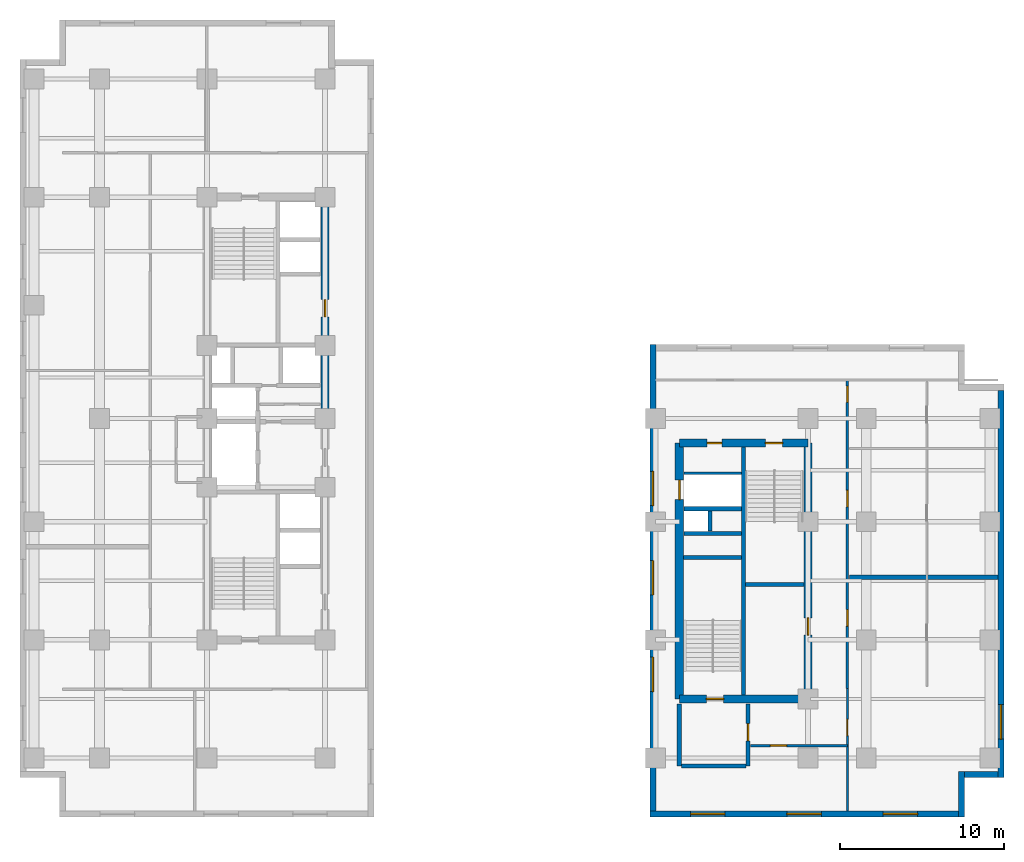
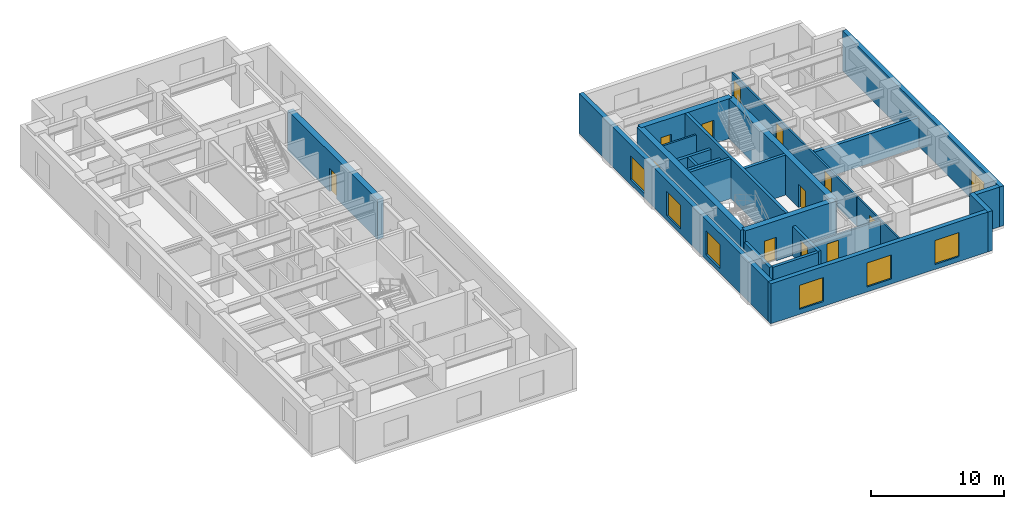
# One storey, part 4 of 8: 24 walls, 12 doors, 7 windows, 19 openings.
"""IFC4 building model written with IfcOpenShell, lengths in metres."""

from ifc_helpers import new_model, entity, si_unit, converted_unit, direction, frame, origin_with_axes, origin_2d_with_axis, place, context, subcontext, project, spatial, polyline, rectangle, outline, extrude, material, layer, layer_set, type_object, element, fill, save


model = new_model("IFC4")

# Units and contexts
model_context = context("Model", 3, precision=1e-05, world=origin_with_axes(), true_north=direction((0.0, 1.0)))
body_context = subcontext(model_context, "Body", "Model", "MODEL_VIEW")
ifc_project = project(units=[si_unit("LENGTHUNIT", "METRE"), si_unit("AREAUNIT", "SQUARE_METRE"), si_unit("VOLUMEUNIT", "CUBIC_METRE"), converted_unit("PLANEANGLEUNIT", "DEGREE", entity("IfcPlaneAngleMeasure", 0.017453292519943295), si_unit("PLANEANGLEUNIT", "RADIAN"), dimensions=[0, 0, 0, 0, 0, 0, 0]), si_unit("MASSUNIT", "GRAM", prefix="KILO"), si_unit("THERMODYNAMICTEMPERATUREUNIT", "KELVIN")], contexts=[model_context])

# Site, building, storey
site_placement = place(None, origin_with_axes())
site = spatial("IfcSite", under=ifc_project, at=site_placement, CompositionType="ELEMENT")
building_placement = place(site_placement, origin_with_axes())
building = spatial("IfcBuilding", under=site, at=building_placement, Name="Varnlund Millrace Tower", CompositionType="ELEMENT")
storey_placement = place(building_placement, frame((0.0, 0.0, 89.1), z_axis=(0.0, 0.0, 1.0), x_axis=(1.0, 0.0, 0.0)))
storey = spatial("IfcBuildingStorey", under=building, at=storey_placement, Name="L21", CompositionType="ELEMENT", Elevation=89.1)

# Wall, opening, door
ifc_material_1 = material(Name="Concrete C70/85", Category="concrete")
ifc_layer_1 = layer(ifc_material_1, 0.5, Name="Concrete C70/85")
ifc_layer_set_1 = layer_set([ifc_layer_1], Name="Concrete C70/85")
wall_type_1 = type_object("IfcWallType", Name="Type-CoreWall-Shear-500-C70", PredefinedType="SHEAR", material=ifc_layer_set_1)
wall_1_placement = place(storey_placement, frame((18.6, 24.3, 0.0), z_axis=(0.0, 0.0, 1.0), x_axis=(0.0, 1.0, 0.0)))
wall_1 = element("IfcWall", 1, at=wall_1_placement, inside=storey, type_object=wall_type_1, Name="Type-CoreWall-Shear-500-C70", PredefinedType="SHEAR", context=body_context, shape_type="SweptSolid", body=[
    extrude(outline(polyline([(0.0, -0.25), (13.5, -0.25), (13.5, 0.25), (0.0, 0.25), (0.0, -0.25)])), origin_with_axes(), (0.0, 0.0, 1.0), 3.66),
])
opening_1_placement = place(wall_1_placement, frame((6.725, 0.0, 0.0), z_axis=(0.0, 0.0, 1.0), x_axis=(1.0, 0.0, 0.0)))
opening_1 = element("IfcOpeningElement", 2, at=opening_1_placement, cuts=wall_1, Name="Opening L21:DR-CA-WC1", PredefinedType="OPENING", context=body_context, shape_type="SweptSolid", body=[
    extrude(rectangle(XDim=1.05, YDim=0.52, at=origin_2d_with_axis()), origin_with_axes(), (0.0, 0.0, 1.0), 2.15),
])
ifc_material_2 = material(Name="Smoke-barrier hollow steel fire door", Category="steel")
door_type_1 = type_object("IfcDoorType", Name="Type-FireDoor-Lobby-1050X2150", OperationType="NOTDEFINED", PredefinedType="DOOR", material=ifc_material_2)
door_1_placement = place(wall_1_placement, frame((6.725, 0.0, 0.0), z_axis=(0.0, 0.0, 1.0), x_axis=(1.0, 0.0, 0.0)))
door_1 = element("IfcDoor", 3, at=door_1_placement, inside=storey, type_object=door_type_1, Name="Type-FireDoor-Lobby-1050X2150", OperationType="SINGLE_SWING_LEFT", OverallHeight=2.15, OverallWidth=1.05, PredefinedType="DOOR", context=body_context, shape_type="SweptSolid", body=[
    extrude(rectangle(XDim=1.05, YDim=0.09, at=origin_2d_with_axis()), origin_with_axes(), (0.0, 0.0, 1.0), 2.15),
])
fill(opening_1, door_1)

wall_2_placement = place(storey_placement, frame((40.2, 7.2, 0.0), z_axis=(0.0, 0.0, 1.0), x_axis=(0.0, 1.0, 0.0)))
wall_2 = element("IfcWall", 4, at=wall_2_placement, inside=storey, type_object=wall_type_1, Name="Type-CoreWall-Shear-500-C70", PredefinedType="SHEAR", context=body_context, shape_type="SweptSolid", body=[
    extrude(outline(polyline([(0.0, -0.25), (15.6, -0.25), (15.6, 0.25), (0.0, 0.25), (0.0, -0.25)])), origin_with_axes(), (0.0, 0.0, 1.0), 3.66),
])
opening_2_placement = place(wall_2_placement, frame((12.75, 0.0, 0.0), z_axis=(0.0, 0.0, 1.0), x_axis=(1.0, 0.0, 0.0)))
opening_2 = element("IfcOpeningElement", 5, at=opening_2_placement, cuts=wall_2, Name="Opening L21:LD-SRV2", PredefinedType="OPENING", context=body_context, shape_type="SweptSolid", body=[
    extrude(rectangle(XDim=1.2, YDim=0.52, at=origin_2d_with_axis()), origin_with_axes(), (0.0, 0.0, 1.0), 2.15),
])
ifc_material_3 = material(Name="Heavy-duty freight sliding landing door")
door_type_2 = type_object("IfcDoorType", Name="Type-LiftLandingDoor-Service-1200X2150", OperationType="NOTDEFINED", PredefinedType="DOOR", material=ifc_material_3)
door_2_placement = place(wall_2_placement, frame((12.75, 0.0, 0.0), z_axis=(0.0, 0.0, 1.0), x_axis=(1.0, 0.0, 0.0)))
door_2 = element("IfcDoor", 6, at=door_2_placement, inside=storey, type_object=door_type_2, Name="Type-LiftLandingDoor-Service-1200X2150", OperationType="DOUBLE_DOOR_SLIDING", OverallHeight=2.15, OverallWidth=1.2, PredefinedType="DOOR", context=body_context, shape_type="SweptSolid", body=[
    extrude(rectangle(XDim=1.2, YDim=0.09, at=origin_2d_with_axis()), origin_with_axes(), (0.0, 0.0, 1.0), 2.15),
])
fill(opening_2, door_2)

wall_3_placement = place(storey_placement, frame((40.2, 7.2, 0.0), z_axis=(0.0, 0.0, 1.0), x_axis=(1.0, 0.0, 0.0)))
wall_3 = element("IfcWall", 7, at=wall_3_placement, inside=storey, type_object=wall_type_1, Name="Type-CoreWall-Shear-500-C70", PredefinedType="SHEAR", context=body_context, shape_type="SweptSolid", body=[
    extrude(outline(polyline([(0.0, -0.25), (7.85, -0.25), (7.85, 0.25), (0.0, 0.25), (0.0, -0.25)])), origin_with_axes(), (0.0, 0.0, 1.0), 3.66),
])
opening_3_placement = place(wall_3_placement, frame((2.175, 0.0, 0.0), z_axis=(0.0, 0.0, 1.0), x_axis=(1.0, 0.0, 0.0)))
opening_3 = element("IfcOpeningElement", 8, at=opening_3_placement, cuts=wall_3, Name="Opening L21:DR-STB1", PredefinedType="OPENING", context=body_context, shape_type="SweptSolid", body=[
    extrude(rectangle(XDim=1.05, YDim=0.52, at=origin_2d_with_axis()), origin_with_axes(), (0.0, 0.0, 1.0), 2.15),
])
ifc_material_4 = material(Name="Fire-rated hollow steel door", Category="steel")
door_type_3 = type_object("IfcDoorType", Name="Type-FireDoor-Stair-1050X2150", OperationType="NOTDEFINED", PredefinedType="DOOR", material=ifc_material_4)
door_3_placement = place(wall_3_placement, frame((2.175, 0.0, 0.0), z_axis=(0.0, 0.0, 1.0), x_axis=(1.0, 0.0, 0.0)))
door_3 = element("IfcDoor", 9, at=door_3_placement, inside=storey, type_object=door_type_3, Name="Type-FireDoor-Stair-1050X2150", OperationType="SINGLE_SWING_LEFT", OverallHeight=2.15, OverallWidth=1.05, PredefinedType="DOOR", context=body_context, shape_type="SweptSolid", body=[
    extrude(rectangle(XDim=1.05, YDim=0.09, at=origin_2d_with_axis()), origin_with_axes(), (0.0, 0.0, 1.0), 2.15),
])
fill(opening_3, door_3)

# Wall, openings, doors
wall_4_placement = place(storey_placement, frame((40.2, 22.8, 0.0), z_axis=(0.0, 0.0, 1.0), x_axis=(1.0, 0.0, 0.0)))
wall_4 = element("IfcWall", 10, at=wall_4_placement, inside=storey, type_object=wall_type_1, Name="Type-CoreWall-Shear-500-C70", PredefinedType="SHEAR", context=body_context, shape_type="SweptSolid", body=[
    extrude(outline(polyline([(0.0, -0.25), (7.85, -0.25), (7.85, 0.25), (0.0, 0.25), (0.0, -0.25)])), origin_with_axes(), (0.0, 0.0, 1.0), 3.66),
])
opening_4_placement = place(wall_4_placement, frame((5.775, 0.0, 0.0), z_axis=(0.0, 0.0, 1.0), x_axis=(1.0, 0.0, 0.0)))
opening_4 = element("IfcOpeningElement", 11, at=opening_4_placement, cuts=wall_4, Name="Opening L21:DR-STB2", PredefinedType="OPENING", context=body_context, shape_type="SweptSolid", body=[
    extrude(rectangle(XDim=1.05, YDim=0.52, at=origin_2d_with_axis()), origin_with_axes(), (0.0, 0.0, 1.0), 2.15),
])
opening_5_placement = place(wall_4_placement, frame((2.15, 0.0, 0.0), z_axis=(0.0, 0.0, 1.0), x_axis=(1.0, 0.0, 0.0)))
opening_5 = element("IfcOpeningElement", 12, at=opening_5_placement, cuts=wall_4, Name="Opening L21:DR-CB-NW", PredefinedType="OPENING", context=body_context, shape_type="SweptSolid", body=[
    extrude(rectangle(XDim=0.9, YDim=0.52, at=origin_2d_with_axis()), origin_with_axes(), (0.0, 0.0, 1.0), 2.15),
])
ifc_material_5 = material(Name="Fire-rated hollow steel service closet door", Category="steel")
door_type_4 = type_object("IfcDoorType", Name="Type-FireDoor-Closet-900X2150", OperationType="NOTDEFINED", PredefinedType="DOOR", material=ifc_material_5)
door_4_placement = place(wall_4_placement, frame((2.15, 0.0, 0.0), z_axis=(0.0, 0.0, 1.0), x_axis=(1.0, 0.0, 0.0)))
door_4 = element("IfcDoor", 13, at=door_4_placement, inside=storey, type_object=door_type_4, Name="Type-FireDoor-Closet-900X2150", OperationType="SINGLE_SWING_LEFT", OverallHeight=2.15, OverallWidth=0.9, PredefinedType="DOOR", context=body_context, shape_type="SweptSolid", body=[
    extrude(rectangle(XDim=0.9, YDim=0.09, at=origin_2d_with_axis()), origin_with_axes(), (0.0, 0.0, 1.0), 2.15),
])
fill(opening_5, door_4)
door_5_placement = place(wall_4_placement, frame((5.775, 0.0, 0.0), z_axis=(0.0, 0.0, 1.0), x_axis=(1.0, 0.0, 0.0)))
door_5 = element("IfcDoor", 14, at=door_5_placement, inside=storey, type_object=door_type_3, Name="Type-FireDoor-Stair-1050X2150", OperationType="SINGLE_SWING_RIGHT", OverallHeight=2.15, OverallWidth=1.05, PredefinedType="DOOR", context=body_context, shape_type="SweptSolid", body=[
    extrude(rectangle(XDim=1.05, YDim=0.09, at=origin_2d_with_axis()), origin_with_axes(), (0.0, 0.0, 1.0), 2.15),
])
fill(opening_4, door_5)

# Wall, opening, door
wall_5_placement = place(storey_placement, frame((48.05, 7.2, 0.0), z_axis=(0.0, 0.0, 1.0), x_axis=(0.0, 1.0, 0.0)))
wall_5 = element("IfcWall", 15, at=wall_5_placement, inside=storey, type_object=wall_type_1, Name="Type-CoreWall-Shear-500-C70", PredefinedType="SHEAR", context=body_context, shape_type="SweptSolid", body=[
    extrude(outline(polyline([(0.0, -0.25), (15.6, -0.25), (15.6, 0.25), (0.0, 0.25), (0.0, -0.25)])), origin_with_axes(), (0.0, 0.0, 1.0), 3.66),
])
opening_6_placement = place(wall_5_placement, frame((4.425, 0.0, 0.0), z_axis=(0.0, 0.0, 1.0), x_axis=(1.0, 0.0, 0.0)))
opening_6 = element("IfcOpeningElement", 16, at=opening_6_placement, cuts=wall_5, Name="Opening L21:DR-CB-WC", PredefinedType="OPENING", context=body_context, shape_type="SweptSolid", body=[
    extrude(rectangle(XDim=1.05, YDim=0.52, at=origin_2d_with_axis()), origin_with_axes(), (0.0, 0.0, 1.0), 2.15),
])
door_6_placement = place(wall_5_placement, frame((4.425, 0.0, 0.0), z_axis=(0.0, 0.0, 1.0), x_axis=(1.0, 0.0, 0.0)))
door_6 = element("IfcDoor", 17, at=door_6_placement, inside=storey, type_object=door_type_1, Name="Type-FireDoor-Lobby-1050X2150", OperationType="SINGLE_SWING_RIGHT", OverallHeight=2.15, OverallWidth=1.05, PredefinedType="DOOR", context=body_context, shape_type="SweptSolid", body=[
    extrude(rectangle(XDim=1.05, YDim=0.09, at=origin_2d_with_axis()), origin_with_axes(), (0.0, 0.0, 1.0), 2.15),
])
fill(opening_6, door_6)

# Wall, opening, window
ifc_material_6 = material(Name="Precast concrete C50/60", Category="concrete")
ifc_layer_2 = layer(ifc_material_6, 0.38, Name="Precast concrete C50/60")
ifc_layer_set_2 = layer_set([ifc_layer_2], Name="Precast concrete C50/60")
wall_type_2 = type_object("IfcWallType", Name="Type-ExtWall-Precast-Tube-380", PredefinedType="SOLIDWALL", material=ifc_layer_set_2)
wall_6_placement = place(storey_placement, frame((59.81, 26.02, 0.0), z_axis=(0.0, 0.0, 1.0), x_axis=(0.0, -1.0, 0.0)))
wall_6 = element("IfcWall", 18, at=wall_6_placement, inside=storey, type_object=wall_type_2, Name="Type-ExtWall-Precast-Tube-380", PredefinedType="SOLIDWALL", context=body_context, shape_type="SweptSolid", body=[
    extrude(outline(polyline([(0.0, -0.19), (23.62, -0.19), (23.62, 0.19), (0.0, 0.19), (0.0, -0.19)])), origin_with_axes(), (0.0, 0.0, 1.0), 3.66),
])
opening_7_placement = place(wall_6_placement, frame((20.218, 0.0, 0.45), z_axis=(0.0, 0.0, 1.0), x_axis=(1.0, 0.0, 0.0)))
opening_7 = element("IfcOpeningElement", 19, at=opening_7_placement, cuts=wall_6, Name="Opening L21:WN-18", PredefinedType="OPENING", context=body_context, shape_type="SweptSolid", body=[
    extrude(rectangle(XDim=2.1, YDim=0.4, at=origin_2d_with_axis()), origin_with_axes(), (0.0, 0.0, 1.0), 2.2),
])
ifc_material_7 = material(Name="Argon low-e triple glazing in thermally broken bronze frame", Category="glass")
window_type = type_object("IfcWindowType", Name="Type-Window-Punched-2100X2200", PartitioningType="SINGLE_PANEL", PredefinedType="WINDOW", material=ifc_material_7)
window_1_placement = place(wall_6_placement, frame((20.218, 0.0, 0.45), z_axis=(0.0, 0.0, 1.0), x_axis=(1.0, 0.0, 0.0)))
window_1 = element("IfcWindow", 20, at=window_1_placement, inside=storey, type_object=window_type, Name="Type-Window-Punched-2100X2200", OverallHeight=2.2, OverallWidth=2.1, PredefinedType="WINDOW", context=body_context, shape_type="SweptSolid", body=[
    extrude(rectangle(XDim=2.1, YDim=0.09, at=origin_2d_with_axis()), origin_with_axes(), (0.0, 0.0, 1.0), 2.2),
])
fill(opening_7, window_1)

# Walls
wall_7_placement = place(storey_placement, frame((59.62, 2.59, 0.0), z_axis=(0.0, 0.0, 1.0), x_axis=(-1.0, 0.0, 0.0)))
element("IfcWall", 21, at=wall_7_placement, inside=storey, type_object=wall_type_2, Name="Type-ExtWall-Precast-Tube-380", PredefinedType="SOLIDWALL", context=body_context, shape_type="SweptSolid", body=[
    extrude(outline(polyline([(0.0, -0.19), (2.02, -0.19), (2.02, 0.19), (0.0, 0.19), (0.0, -0.19)])), origin_with_axes(), (0.0, 0.0, 1.0), 3.66),
])
wall_8_placement = place(storey_placement, frame((57.41, 2.78, 0.0), z_axis=(0.0, 0.0, 1.0), x_axis=(0.0, -1.0, 0.0)))
element("IfcWall", 22, at=wall_8_placement, inside=storey, type_object=wall_type_2, Name="Type-ExtWall-Precast-Tube-380", PredefinedType="SOLIDWALL", context=body_context, shape_type="SweptSolid", body=[
    extrude(outline(polyline([(0.0, -0.19), (2.78, -0.19), (2.78, 0.19), (0.0, 0.19), (0.0, -0.19)])), origin_with_axes(), (0.0, 0.0, 1.0), 3.66),
])

# Wall, openings, windows
wall_9_placement = place(storey_placement, frame((57.22, 0.19, 0.0), z_axis=(0.0, 0.0, 1.0), x_axis=(-1.0, 0.0, 0.0)))
wall_9 = element("IfcWall", 23, at=wall_9_placement, inside=storey, type_object=wall_type_2, Name="Type-ExtWall-Precast-Tube-380", PredefinedType="SOLIDWALL", context=body_context, shape_type="SweptSolid", body=[
    extrude(outline(polyline([(0.0, -0.19), (18.82, -0.19), (18.82, 0.19), (0.0, 0.19), (0.0, -0.19)])), origin_with_axes(), (0.0, 0.0, 1.0), 3.66),
])
opening_8_placement = place(wall_9_placement, frame((3.537, 0.0, 0.45), z_axis=(0.0, 0.0, 1.0), x_axis=(1.0, 0.0, 0.0)))
opening_8 = element("IfcOpeningElement", 24, at=opening_8_placement, cuts=wall_9, Name="Opening L21:WN-19", PredefinedType="OPENING", context=body_context, shape_type="SweptSolid", body=[
    extrude(rectangle(XDim=2.1, YDim=0.4, at=origin_2d_with_axis()), origin_with_axes(), (0.0, 0.0, 1.0), 2.2),
])
opening_9_placement = place(wall_9_placement, frame((9.41, 0.0, 0.45), z_axis=(0.0, 0.0, 1.0), x_axis=(1.0, 0.0, 0.0)))
opening_9 = element("IfcOpeningElement", 25, at=opening_9_placement, cuts=wall_9, Name="Opening L21:WN-20", PredefinedType="OPENING", context=body_context, shape_type="SweptSolid", body=[
    extrude(rectangle(XDim=2.1, YDim=0.4, at=origin_2d_with_axis()), origin_with_axes(), (0.0, 0.0, 1.0), 2.2),
])
opening_10_placement = place(wall_9_placement, frame((15.283, 0.0, 0.45), z_axis=(0.0, 0.0, 1.0), x_axis=(1.0, 0.0, 0.0)))
opening_10 = element("IfcOpeningElement", 26, at=opening_10_placement, cuts=wall_9, Name="Opening L21:WN-21", PredefinedType="OPENING", context=body_context, shape_type="SweptSolid", body=[
    extrude(rectangle(XDim=2.1, YDim=0.4, at=origin_2d_with_axis()), origin_with_axes(), (0.0, 0.0, 1.0), 2.2),
])
window_2_placement = place(wall_9_placement, frame((3.537, 0.0, 0.45), z_axis=(0.0, 0.0, 1.0), x_axis=(1.0, 0.0, 0.0)))
window_2 = element("IfcWindow", 27, at=window_2_placement, inside=storey, type_object=window_type, Name="Type-Window-Punched-2100X2200", OverallHeight=2.2, OverallWidth=2.1, PredefinedType="WINDOW", context=body_context, shape_type="SweptSolid", body=[
    extrude(rectangle(XDim=2.1, YDim=0.09, at=origin_2d_with_axis()), origin_with_axes(), (0.0, 0.0, 1.0), 2.2),
])
fill(opening_8, window_2)
window_3_placement = place(wall_9_placement, frame((9.41, 0.0, 0.45), z_axis=(0.0, 0.0, 1.0), x_axis=(1.0, 0.0, 0.0)))
window_3 = element("IfcWindow", 28, at=window_3_placement, inside=storey, type_object=window_type, Name="Type-Window-Punched-2100X2200", OverallHeight=2.2, OverallWidth=2.1, PredefinedType="WINDOW", context=body_context, shape_type="SweptSolid", body=[
    extrude(rectangle(XDim=2.1, YDim=0.09, at=origin_2d_with_axis()), origin_with_axes(), (0.0, 0.0, 1.0), 2.2),
])
fill(opening_9, window_3)
window_4_placement = place(wall_9_placement, frame((15.283, 0.0, 0.45), z_axis=(0.0, 0.0, 1.0), x_axis=(1.0, 0.0, 0.0)))
window_4 = element("IfcWindow", 29, at=window_4_placement, inside=storey, type_object=window_type, Name="Type-Window-Punched-2100X2200", OverallHeight=2.2, OverallWidth=2.1, PredefinedType="WINDOW", context=body_context, shape_type="SweptSolid", body=[
    extrude(rectangle(XDim=2.1, YDim=0.09, at=origin_2d_with_axis()), origin_with_axes(), (0.0, 0.0, 1.0), 2.2),
])
fill(opening_10, window_4)

wall_10_placement = place(storey_placement, frame((38.59, 0.38, 0.0), z_axis=(0.0, 0.0, 1.0), x_axis=(0.0, 1.0, 0.0)))
wall_10 = element("IfcWall", 30, at=wall_10_placement, inside=storey, type_object=wall_type_2, Name="Type-ExtWall-Precast-Tube-380", PredefinedType="SOLIDWALL", context=body_context, shape_type="SweptSolid", body=[
    extrude(outline(polyline([(0.0, -0.19), (28.42, -0.19), (28.42, 0.19), (0.0, 0.19), (0.0, -0.19)])), origin_with_axes(), (0.0, 0.0, 1.0), 3.66),
])
opening_11_placement = place(wall_10_placement, frame((8.316, 0.0, 0.45), z_axis=(0.0, 0.0, 1.0), x_axis=(1.0, 0.0, 0.0)))
opening_11 = element("IfcOpeningElement", 31, at=opening_11_placement, cuts=wall_10, Name="Opening L21:WN-22", PredefinedType="OPENING", context=body_context, shape_type="SweptSolid", body=[
    extrude(rectangle(XDim=2.1, YDim=0.4, at=origin_2d_with_axis()), origin_with_axes(), (0.0, 0.0, 1.0), 2.2),
])
opening_12_placement = place(wall_10_placement, frame((14.21, 0.0, 0.45), z_axis=(0.0, 0.0, 1.0), x_axis=(1.0, 0.0, 0.0)))
opening_12 = element("IfcOpeningElement", 32, at=opening_12_placement, cuts=wall_10, Name="Opening L21:WN-23", PredefinedType="OPENING", context=body_context, shape_type="SweptSolid", body=[
    extrude(rectangle(XDim=2.1, YDim=0.4, at=origin_2d_with_axis()), origin_with_axes(), (0.0, 0.0, 1.0), 2.2),
])
opening_13_placement = place(wall_10_placement, frame((19.654, 0.0, 0.45), z_axis=(0.0, 0.0, 1.0), x_axis=(1.0, 0.0, 0.0)))
opening_13 = element("IfcOpeningElement", 33, at=opening_13_placement, cuts=wall_10, Name="Opening L21:WN-24", PredefinedType="OPENING", context=body_context, shape_type="SweptSolid", body=[
    extrude(rectangle(XDim=2.1, YDim=0.4, at=origin_2d_with_axis()), origin_with_axes(), (0.0, 0.0, 1.0), 2.2),
])
window_5_placement = place(wall_10_placement, frame((8.316, 0.0, 0.45), z_axis=(0.0, 0.0, 1.0), x_axis=(1.0, 0.0, 0.0)))
window_5 = element("IfcWindow", 34, at=window_5_placement, inside=storey, type_object=window_type, Name="Type-Window-Punched-2100X2200", OverallHeight=2.2, OverallWidth=2.1, PredefinedType="WINDOW", context=body_context, shape_type="SweptSolid", body=[
    extrude(rectangle(XDim=2.1, YDim=0.09, at=origin_2d_with_axis()), origin_with_axes(), (0.0, 0.0, 1.0), 2.2),
])
fill(opening_11, window_5)
window_6_placement = place(wall_10_placement, frame((14.21, 0.0, 0.45), z_axis=(0.0, 0.0, 1.0), x_axis=(1.0, 0.0, 0.0)))
window_6 = element("IfcWindow", 35, at=window_6_placement, inside=storey, type_object=window_type, Name="Type-Window-Punched-2100X2200", OverallHeight=2.2, OverallWidth=2.1, PredefinedType="WINDOW", context=body_context, shape_type="SweptSolid", body=[
    extrude(rectangle(XDim=2.1, YDim=0.09, at=origin_2d_with_axis()), origin_with_axes(), (0.0, 0.0, 1.0), 2.2),
])
fill(opening_12, window_6)
window_7_placement = place(wall_10_placement, frame((19.654, 0.0, 0.45), z_axis=(0.0, 0.0, 1.0), x_axis=(1.0, 0.0, 0.0)))
window_7 = element("IfcWindow", 36, at=window_7_placement, inside=storey, type_object=window_type, Name="Type-Window-Punched-2100X2200", OverallHeight=2.2, OverallWidth=2.1, PredefinedType="WINDOW", context=body_context, shape_type="SweptSolid", body=[
    extrude(rectangle(XDim=2.1, YDim=0.09, at=origin_2d_with_axis()), origin_with_axes(), (0.0, 0.0, 1.0), 2.2),
])
fill(opening_13, window_7)

# Walls
ifc_material_8 = material(Name="Double-stud STC-60 conference acoustic partition", Category="gypsum")
ifc_layer_3 = layer(ifc_material_8, 0.28, Name="Double-stud STC-60 conference acoustic partition")
ifc_layer_set_3 = layer_set([ifc_layer_3], Name="Double-stud STC-60 conference acoustic partition")
wall_type_3 = type_object("IfcWallType", Name="Type-Partition-Acoustic-280", PredefinedType="PARTITIONING", material=ifc_layer_set_3)
wall_11_placement = place(storey_placement, frame((50.57, 14.61, 0.0), z_axis=(0.0, 0.0, 1.0), x_axis=(1.0, 0.0, 0.0)))
element("IfcWall", 37, at=wall_11_placement, inside=storey, type_object=wall_type_3, Name="Type-Partition-Acoustic-280", PredefinedType="PARTITIONING", context=body_context, shape_type="SweptSolid", body=[
    extrude(outline(polyline([(0.0, -0.14), (9.055, -0.14), (9.055, 0.14), (0.0, 0.14), (0.0, -0.14)])), origin_with_axes(), (0.0, 0.0, 1.0), 2.7),
])
ifc_material_9 = material(Name="Fire-rated gypsum board on cold-formed steel framing", Category="steel")
ifc_layer_4 = layer(ifc_material_9, 0.16, Name="Fire-rated gypsum board on cold-formed steel framing")
ifc_layer_set_4 = layer_set([ifc_layer_4], Name="Fire-rated gypsum board on cold-formed steel framing")
wall_type_4 = type_object("IfcWallType", Name="Type-Partition-Corridor-160", PredefinedType="PARTITIONING", material=ifc_layer_set_4)
wall_12_placement = place(storey_placement, frame((40.5, 20.96, 0.0), z_axis=(0.0, 0.0, 1.0), x_axis=(1.0, 0.0, 0.0)))
element("IfcWall", 38, at=wall_12_placement, inside=storey, type_object=wall_type_4, Name="Type-Partition-Corridor-160", PredefinedType="PARTITIONING", context=body_context, shape_type="SweptSolid", body=[
    extrude(outline(polyline([(0.0, -0.08), (3.5, -0.08), (3.5, 0.08), (0.0, 0.08), (0.0, -0.08)])), origin_with_axes(), (0.0, 0.0, 1.0), 2.7),
])

# Wall, openings, doors
wall_13_placement = place(storey_placement, frame((50.45, 7.85, 0.0), z_axis=(0.0, 0.0, 1.0), x_axis=(0.0, 1.0, 0.0)))
wall_13 = element("IfcWall", 39, at=wall_13_placement, inside=storey, type_object=wall_type_4, Name="Type-Partition-Corridor-160", PredefinedType="PARTITIONING", context=body_context, shape_type="SweptSolid", body=[
    extrude(outline(polyline([(0.0, -0.08), (18.8, -0.08), (18.8, 0.08), (0.0, 0.08), (0.0, -0.08)])), origin_with_axes(), (0.0, 0.0, 1.0), 2.7),
])
opening_14_placement = place(wall_13_placement, frame((4.29, 0.0, 0.0), z_axis=(0.0, 0.0, 1.0), x_axis=(1.0, 0.0, 0.0)))
opening_14 = element("IfcOpeningElement", 40, at=opening_14_placement, cuts=wall_13, Name="Opening L21:DR-WB-01", PredefinedType="OPENING", context=body_context, shape_type="SweptSolid", body=[
    extrude(rectangle(XDim=1.0, YDim=0.18, at=origin_2d_with_axis()), origin_with_axes(), (0.0, 0.0, 1.0), 2.15),
])
opening_15_placement = place(wall_13_placement, frame((11.57, 0.0, 0.0), z_axis=(0.0, 0.0, 1.0), x_axis=(1.0, 0.0, 0.0)))
opening_15 = element("IfcOpeningElement", 41, at=opening_15_placement, cuts=wall_13, Name="Opening L21:DR-WB-02", PredefinedType="OPENING", context=body_context, shape_type="SweptSolid", body=[
    extrude(rectangle(XDim=1.0, YDim=0.18, at=origin_2d_with_axis()), origin_with_axes(), (0.0, 0.0, 1.0), 2.15),
])
opening_16_placement = place(wall_13_placement, frame((17.93, 0.0, 0.0), z_axis=(0.0, 0.0, 1.0), x_axis=(1.0, 0.0, 0.0)))
opening_16 = element("IfcOpeningElement", 42, at=opening_16_placement, cuts=wall_13, Name="Opening L21:DR-WB-03", PredefinedType="OPENING", context=body_context, shape_type="SweptSolid", body=[
    extrude(rectangle(XDim=1.0, YDim=0.18, at=origin_2d_with_axis()), origin_with_axes(), (0.0, 0.0, 1.0), 2.15),
])
ifc_material_10 = material(Name="Solid-core white oak and bronze frame door")
door_type_5 = type_object("IfcDoorType", Name="Type-IntDoor-Office-1000X2150", OperationType="NOTDEFINED", PredefinedType="DOOR", material=ifc_material_10)
door_7_placement = place(wall_13_placement, frame((4.29, 0.0, 0.0), z_axis=(0.0, 0.0, 1.0), x_axis=(1.0, 0.0, 0.0)))
door_7 = element("IfcDoor", 43, at=door_7_placement, inside=storey, type_object=door_type_5, Name="Type-IntDoor-Office-1000X2150", OperationType="SINGLE_SWING_LEFT", OverallHeight=2.15, OverallWidth=1.0, PredefinedType="DOOR", context=body_context, shape_type="SweptSolid", body=[
    extrude(rectangle(XDim=1.0, YDim=0.09, at=origin_2d_with_axis()), origin_with_axes(), (0.0, 0.0, 1.0), 2.15),
])
fill(opening_14, door_7)
door_8_placement = place(wall_13_placement, frame((11.57, 0.0, 0.0), z_axis=(0.0, 0.0, 1.0), x_axis=(1.0, 0.0, 0.0)))
door_8 = element("IfcDoor", 44, at=door_8_placement, inside=storey, type_object=door_type_5, Name="Type-IntDoor-Office-1000X2150", OperationType="SINGLE_SWING_RIGHT", OverallHeight=2.15, OverallWidth=1.0, PredefinedType="DOOR", context=body_context, shape_type="SweptSolid", body=[
    extrude(rectangle(XDim=1.0, YDim=0.09, at=origin_2d_with_axis()), origin_with_axes(), (0.0, 0.0, 1.0), 2.15),
])
fill(opening_15, door_8)
door_9_placement = place(wall_13_placement, frame((17.93, 0.0, 0.0), z_axis=(0.0, 0.0, 1.0), x_axis=(1.0, 0.0, 0.0)))
door_9 = element("IfcDoor", 45, at=door_9_placement, inside=storey, type_object=door_type_5, Name="Type-IntDoor-Office-1000X2150", OperationType="SINGLE_SWING_LEFT", OverallHeight=2.15, OverallWidth=1.0, PredefinedType="DOOR", context=body_context, shape_type="SweptSolid", body=[
    extrude(rectangle(XDim=1.0, YDim=0.09, at=origin_2d_with_axis()), origin_with_axes(), (0.0, 0.0, 1.0), 2.15),
])
fill(opening_16, door_9)

# Wall, opening, door
wall_14_placement = place(storey_placement, frame((44.55, 4.35, 0.0), z_axis=(0.0, 0.0, 1.0), x_axis=(1.0, 0.0, 0.0)))
wall_14 = element("IfcWall", 46, at=wall_14_placement, inside=storey, type_object=wall_type_4, Name="Type-Partition-Corridor-160", PredefinedType="PARTITIONING", context=body_context, shape_type="SweptSolid", body=[
    extrude(outline(polyline([(0.0, -0.08), (5.9, -0.08), (5.9, 0.08), (0.0, 0.08), (0.0, -0.08)])), origin_with_axes(), (0.0, 0.0, 1.0), 2.7),
])
opening_17_placement = place(wall_14_placement, frame((1.7, 0.0, 0.0), z_axis=(0.0, 0.0, 1.0), x_axis=(1.0, 0.0, 0.0)))
opening_17 = element("IfcOpeningElement", 47, at=opening_17_placement, cuts=wall_14, Name="Opening L21:DR-WBS-01", PredefinedType="OPENING", context=body_context, shape_type="SweptSolid", body=[
    extrude(rectangle(XDim=1.0, YDim=0.18, at=origin_2d_with_axis()), origin_with_axes(), (0.0, 0.0, 1.0), 2.15),
])
door_10_placement = place(wall_14_placement, frame((1.7, 0.0, 0.0), z_axis=(0.0, 0.0, 1.0), x_axis=(1.0, 0.0, 0.0)))
door_10 = element("IfcDoor", 48, at=door_10_placement, inside=storey, type_object=door_type_5, Name="Type-IntDoor-Office-1000X2150", OperationType="SINGLE_SWING_LEFT", OverallHeight=2.15, OverallWidth=1.0, PredefinedType="DOOR", context=body_context, shape_type="SweptSolid", body=[
    extrude(rectangle(XDim=1.0, YDim=0.09, at=origin_2d_with_axis()), origin_with_axes(), (0.0, 0.0, 1.0), 2.15),
])
fill(opening_17, door_10)

ifc_material_11 = material(Name="Gypsum board tenant partition", Category="gypsum")
ifc_layer_5 = layer(ifc_material_11, 0.125, Name="Gypsum board tenant partition")
ifc_layer_set_5 = layer_set([ifc_layer_5], Name="Gypsum board tenant partition")
wall_type_5 = type_object("IfcWallType", Name="Type-Partition-Tenant-125", PredefinedType="PARTITIONING", material=ifc_layer_set_5)
wall_15_placement = place(storey_placement, frame((50.45, 0.36, 0.0), z_axis=(0.0, 0.0, 1.0), x_axis=(0.0, 1.0, 0.0)))
wall_15 = element("IfcWall", 49, at=wall_15_placement, inside=storey, type_object=wall_type_5, Name="Type-Partition-Tenant-125", PredefinedType="PARTITIONING", context=body_context, shape_type="SweptSolid", body=[
    extrude(outline(polyline([(0.0, -0.0625), (7.49, -0.0625), (7.49, 0.0625), (0.0, 0.0625), (0.0, -0.0625)])), origin_with_axes(), (0.0, 0.0, 1.0), 2.7),
])
opening_18_placement = place(wall_15_placement, frame((5.1, 0.0, 0.0), z_axis=(0.0, 0.0, 1.0), x_axis=(1.0, 0.0, 0.0)))
opening_18 = element("IfcOpeningElement", 50, at=opening_18_placement, cuts=wall_15, Name="Opening L21:DR-WBS-02", PredefinedType="OPENING", context=body_context, shape_type="SweptSolid", body=[
    extrude(rectangle(XDim=1.0, YDim=0.145, at=origin_2d_with_axis()), origin_with_axes(), (0.0, 0.0, 1.0), 2.15),
])
door_11_placement = place(wall_15_placement, frame((5.1, 0.0, 0.0), z_axis=(0.0, 0.0, 1.0), x_axis=(1.0, 0.0, 0.0)))
door_11 = element("IfcDoor", 51, at=door_11_placement, inside=storey, type_object=door_type_5, Name="Type-IntDoor-Office-1000X2150", OperationType="SINGLE_SWING_LEFT", OverallHeight=2.15, OverallWidth=1.0, PredefinedType="DOOR", context=body_context, shape_type="SweptSolid", body=[
    extrude(rectangle(XDim=1.0, YDim=0.075, at=origin_2d_with_axis()), origin_with_axes(), (0.0, 0.0, 1.0), 2.15),
])
fill(opening_18, door_11)

# Walls
ifc_material_12 = material(Name="Concrete C60/75", Category="concrete")
ifc_layer_6 = layer(ifc_material_12, 0.25, Name="Concrete C60/75")
ifc_layer_set_6 = layer_set([ifc_layer_6], Name="Concrete C60/75")
wall_type_6 = type_object("IfcWallType", Name="Type-ShaftWall-Fire-250", PredefinedType="SOLIDWALL", material=ifc_layer_set_6)
for number, where, z_axis, x_axis, name in (
    (52, (40.5, 17.3, 0.0), (0.0, 0.0, 1.0), (1.0, 0.0, 0.0), "Type-ShaftWall-Fire-250"),
    (53, (40.5, 18.8, 0.0), (0.0, 0.0, 1.0), (1.0, 0.0, 0.0), "Type-ShaftWall-Fire-250"),
):
    element("IfcWall", number, at=place(storey_placement, frame(where, z_axis=z_axis, x_axis=x_axis)), inside=storey, type_object=wall_type_6, Name=name, PredefinedType="SOLIDWALL", context=body_context, shape_type="SweptSolid", body=[
        extrude(outline(polyline([(0.0, -0.125), (3.5, -0.125), (3.5, 0.125), (0.0, 0.125), (0.0, -0.125)])), origin_with_axes(), (0.0, 0.0, 1.0), 2.7),
    ])
wall_16_placement = place(storey_placement, frame((42.075, 17.43, 0.0), z_axis=(0.0, 0.0, 1.0), x_axis=(0.0, 1.0, 0.0)))
element("IfcWall", 54, at=wall_16_placement, inside=storey, type_object=wall_type_6, Name="Type-ShaftWall-Fire-250", PredefinedType="SOLIDWALL", context=body_context, shape_type="SweptSolid", body=[
    extrude(outline(polyline([(0.0, -0.125), (1.24, -0.125), (1.24, 0.125), (0.0, 0.125), (0.0, -0.125)])), origin_with_axes(), (0.0, 0.0, 1.0), 2.7),
])
wall_17_placement = place(storey_placement, frame((40.2, 3.1, 0.0), z_axis=(0.0, 0.0, 1.0), x_axis=(0.0, 1.0, 0.0)))
element("IfcWall", 55, at=wall_17_placement, inside=storey, type_object=wall_type_6, Name="Type-ShaftWall-Fire-250", PredefinedType="SOLIDWALL", context=body_context, shape_type="SweptSolid", body=[
    extrude(outline(polyline([(0.0, -0.125), (3.8, -0.125), (3.8, 0.125), (0.0, 0.125), (0.0, -0.125)])), origin_with_axes(), (0.0, 0.0, 1.0), 2.7),
])
wall_18_placement = place(storey_placement, frame((40.325, 3.1, 0.0), z_axis=(0.0, 0.0, 1.0), x_axis=(1.0, 0.0, 0.0)))
element("IfcWall", 56, at=wall_18_placement, inside=storey, type_object=wall_type_6, Name="Type-ShaftWall-Fire-250", PredefinedType="SOLIDWALL", context=body_context, shape_type="SweptSolid", body=[
    extrude(outline(polyline([(0.0, -0.125), (3.95, -0.125), (3.95, 0.125), (0.0, 0.125), (0.0, -0.125)])), origin_with_axes(), (0.0, 0.0, 1.0), 2.7),
])

# Wall, opening, door
wall_19_placement = place(storey_placement, frame((44.4, 3.1, 0.0), z_axis=(0.0, 0.0, 1.0), x_axis=(0.0, 1.0, 0.0)))
wall_19 = element("IfcWall", 57, at=wall_19_placement, inside=storey, type_object=wall_type_6, Name="Type-ShaftWall-Fire-250", PredefinedType="SOLIDWALL", context=body_context, shape_type="SweptSolid", body=[
    extrude(outline(polyline([(0.0, -0.125), (3.8, -0.125), (3.8, 0.125), (0.0, 0.125), (0.0, -0.125)])), origin_with_axes(), (0.0, 0.0, 1.0), 2.7),
])
opening_19_placement = place(wall_19_placement, frame((2.075, 0.0, 0.0), z_axis=(0.0, 0.0, 1.0), x_axis=(1.0, 0.0, 0.0)))
opening_19 = element("IfcOpeningElement", 58, at=opening_19_placement, cuts=wall_19, Name="Opening L21:DR-FFLOB-B", PredefinedType="OPENING", context=body_context, shape_type="SweptSolid", body=[
    extrude(rectangle(XDim=1.05, YDim=0.27, at=origin_2d_with_axis()), origin_with_axes(), (0.0, 0.0, 1.0), 2.15),
])
door_12_placement = place(wall_19_placement, frame((2.075, 0.0, 0.0), z_axis=(0.0, 0.0, 1.0), x_axis=(1.0, 0.0, 0.0)))
door_12 = element("IfcDoor", 59, at=door_12_placement, inside=storey, type_object=door_type_1, Name="Type-FireDoor-Lobby-1050X2150", OperationType="SINGLE_SWING_LEFT", OverallHeight=2.15, OverallWidth=1.05, PredefinedType="DOOR", context=body_context, shape_type="SweptSolid", body=[
    extrude(rectangle(XDim=1.05, YDim=0.09, at=origin_2d_with_axis()), origin_with_axes(), (0.0, 0.0, 1.0), 2.15),
])
fill(opening_19, door_12)

# Walls
wall_type_7 = type_object("IfcWallType", Name="Type-StairWall-Shear-250", PredefinedType="SHEAR", material=ifc_layer_set_6)
wall_20_placement = place(storey_placement, frame((44.125, 7.45, 0.0), z_axis=(0.0, 0.0, 1.0), x_axis=(0.0, 1.0, 0.0)))
element("IfcWall", 60, at=wall_20_placement, inside=storey, type_object=wall_type_7, Name="Type-StairWall-Shear-250", PredefinedType="SHEAR", context=body_context, shape_type="SweptSolid", body=[
    extrude(outline(polyline([(0.0, -0.125), (15.1, -0.125), (15.1, 0.125), (0.0, 0.125), (0.0, -0.125)])), origin_with_axes(), (0.0, 0.0, 1.0), 3.66),
])
for number, where, z_axis, x_axis, name in (
    (61, (40.45, 15.825, 0.0), (0.0, 0.0, 1.0), (1.0, 0.0, 0.0), "Type-StairWall-Shear-250"),
    (62, (44.25, 14.175, 0.0), (0.0, 0.0, 1.0), (1.0, 0.0, 0.0), "Type-StairWall-Shear-250"),
):
    element("IfcWall", number, at=place(storey_placement, frame(where, z_axis=z_axis, x_axis=x_axis)), inside=storey, type_object=wall_type_7, Name=name, PredefinedType="SHEAR", context=body_context, shape_type="SweptSolid", body=[
        extrude(outline(polyline([(0.0, -0.125), (3.55, -0.125), (3.55, 0.125), (0.0, 0.125), (0.0, -0.125)])), origin_with_axes(), (0.0, 0.0, 1.0), 3.66),
    ])

save(model, "model.ifc")
